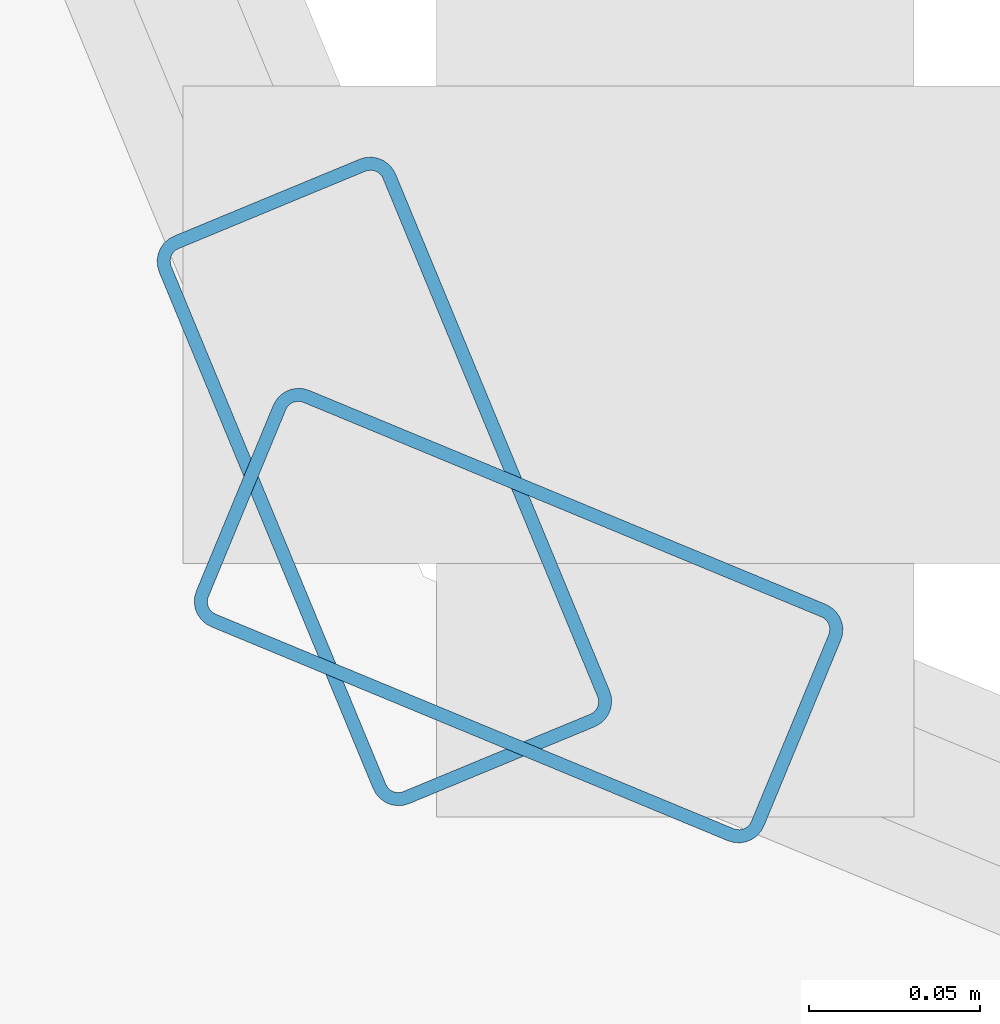
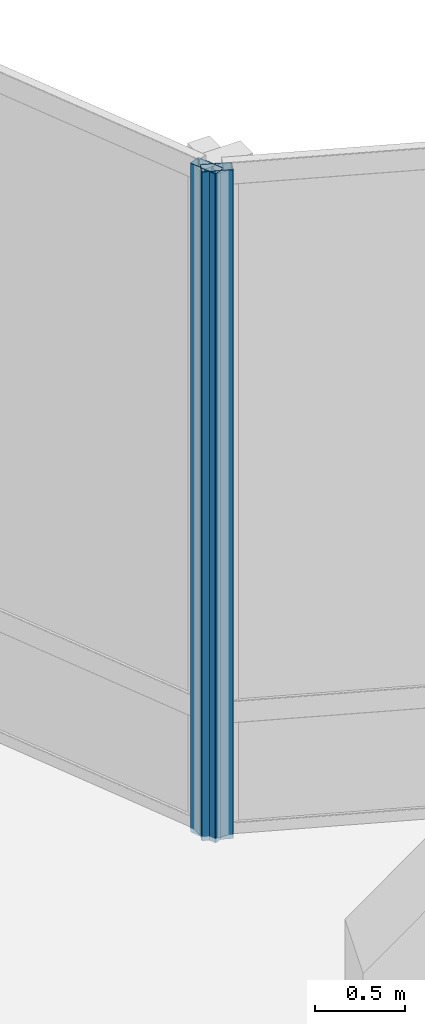
# One storey, part 8 of 30: 2 members, 2 elements without a shape of their own.
"""IFC4 building model written with IfcOpenShell, lengths in metres."""

from ifc_helpers import new_model, si_unit, direction, frame, origin, origin_2d, place, context, subcontext, project, spatial, hollow_rectangle, extrude, material, layer, layer_set, material_profile, profile_set, type_object, element, aggregate, save


model = new_model("IFC4")

# Units and contexts
model_context = context("Model", 3, precision=1e-05, world=origin(), true_north=direction((0.0, 1.0)))
body_context = subcontext(model_context, "Body", "Model", "MODEL_VIEW")
ifc_project = project(units=[si_unit("LENGTHUNIT", "METRE"), si_unit("AREAUNIT", "SQUARE_METRE"), si_unit("VOLUMEUNIT", "CUBIC_METRE"), si_unit("PLANEANGLEUNIT", "RADIAN"), si_unit("MASSUNIT", "GRAM", prefix="KILO")], contexts=[model_context])

# Site, building, storey
site_placement = place(None, origin())
site = spatial("IfcSite", under=ifc_project, at=site_placement, CompositionType="ELEMENT")
building_placement = place(site_placement, origin())
building = spatial("IfcBuilding", under=site, at=building_placement, Name="Solvaryn Broadcast Tower", CompositionType="ELEMENT")
storey_placement = place(building_placement, frame((0.0, 0.0, 196.39990234375)))
storey = spatial("IfcBuildingStorey", under=building, at=storey_placement, Name="L49", CompositionType="ELEMENT", Elevation=196.39990234375)

# Curtain wall, member
ifc_material_1 = material(Name="Aluminium and Terracotta Unitised Curtain Wall", Category="masonry")
ifc_layer = layer(ifc_material_1, 0.199951171875)
ifc_layer_set = layer_set([ifc_layer], Name="CW-SYS2-LOWMID")
curtain_wall_type = type_object("IfcCurtainWallType", Name="CW-SYS2-LOWMID", PredefinedType="NOTDEFINED", material=ifc_layer_set)
curtain_wall_1_placement = place(storey_placement, origin())
curtain_wall_1 = element("IfcCurtainWall", 1, at=curtain_wall_1_placement, inside=storey, type_object=curtain_wall_type, Name="L49 Curtain Wall CN1", PredefinedType="NOTDEFINED")
ifc_material_2 = material(Name="Anodised Aluminium 6063-T6", Category="aluminium")
ifc_material_profile = material_profile(ifc_material_2, hollow_rectangle(XDim=0.074951171875, YDim=0.179931640625, WallThickness=0.00390625, InnerFilletRadius=0.00390625, OuterFilletRadius=0.008056640625, at=origin_2d()))
ifc_profile_set = profile_set([ifc_material_profile], Name="Anodised Aluminium 6063-T6")
member_type = type_object("IfcMemberType", Name="CW-MUL-180", PredefinedType="MULLION", material=ifc_profile_set)
member_1_placement = place(storey_placement, frame((30.395751953125, 30.3564453125, 0.0), z_axis=(0.0, 0.0, 1.0), x_axis=(-0.382646127145, -0.923894983957, 0.0)))
member_1 = element("IfcMember", 2, at=member_1_placement, type_object=member_type, Name="CWS2 mullion 2", PredefinedType="MULLION", context=body_context, shape_type="SweptSolid", body=[
    extrude(hollow_rectangle(XDim=0.074951171875, YDim=0.179931640625, WallThickness=0.00390625, InnerFilletRadius=0.00390625, OuterFilletRadius=0.008056640625, at=origin_2d()), origin(), (0.0, 0.0, 1.0), 4.52001953125),
])
aggregate(curtain_wall_1, [member_1])

curtain_wall_2_placement = place(storey_placement, origin())
curtain_wall_2 = element("IfcCurtainWall", 3, at=curtain_wall_2_placement, inside=storey, type_object=curtain_wall_type, Name="L49 Curtain Wall CN2", PredefinedType="NOTDEFINED")
member_2_placement = place(storey_placement, frame((30.3564453125, 30.395751953125, 0.0), z_axis=(0.0, 0.0, 1.0), x_axis=(-0.923894983957, -0.382646127145, 0.0)))
member_2 = element("IfcMember", 4, at=member_2_placement, type_object=member_type, Name="CWS2 mullion 1", PredefinedType="MULLION", context=body_context, shape_type="SweptSolid", body=[
    extrude(hollow_rectangle(XDim=0.074951171875, YDim=0.179931640625, WallThickness=0.00390625, InnerFilletRadius=0.00390625, OuterFilletRadius=0.008056640625, at=origin_2d()), origin(), (0.0, 0.0, 1.0), 4.52001953125),
])
aggregate(curtain_wall_2, [member_2])

save(model, "model.ifc")
